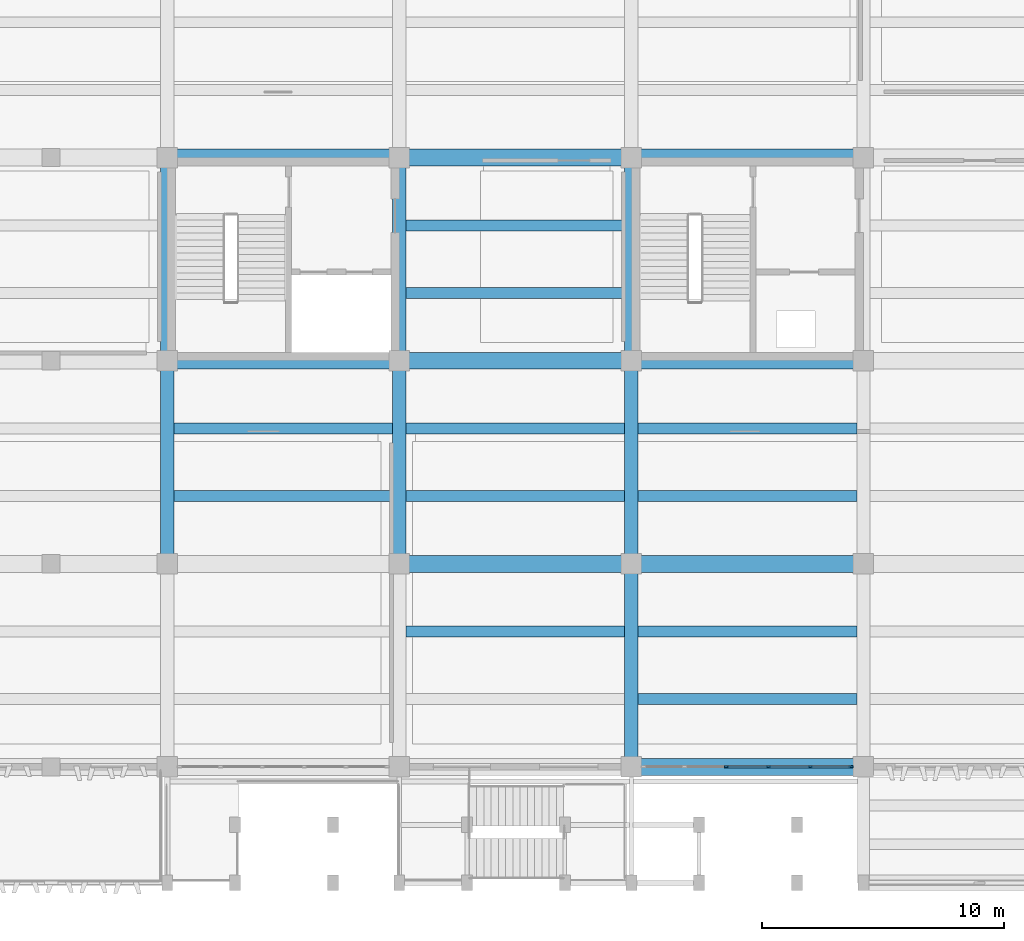
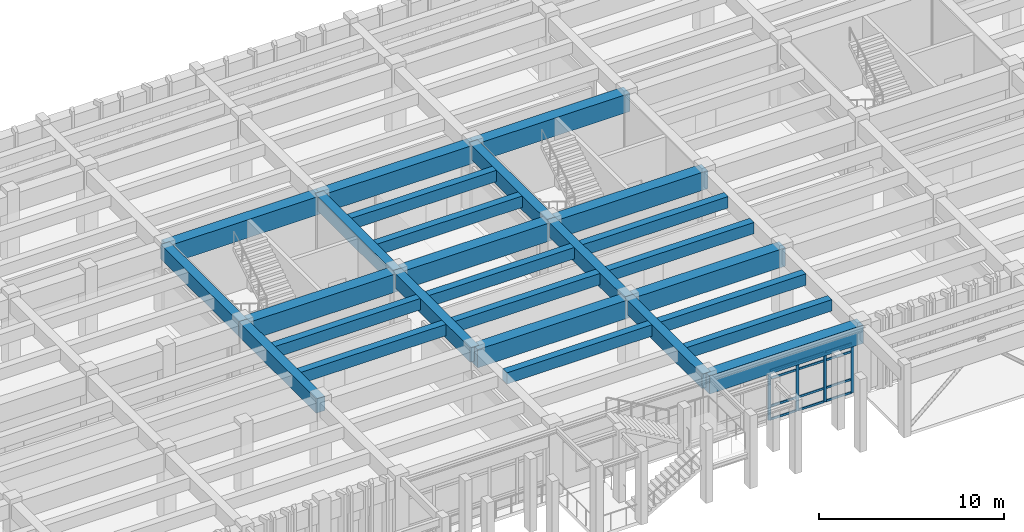
# One storey, part 12 of 86: 27 beams, 16 members, 1 element without a shape of its own.
"""IFC4 building model written with IfcOpenShell, lengths in metres."""

from ifc_helpers import new_model, si_unit, direction, frame, origin, origin_2d, place, context, subcontext, project, spatial, rectangle, extrude, material, layer, layer_set, material_profile, profile_set, type_object, element, aggregate, save


model = new_model("IFC4")

# Units and contexts
model_context = context("Model", 3, precision=1e-05, world=origin(), true_north=direction((0.0, 1.0)))
body_context = subcontext(model_context, "Body", "Model", "MODEL_VIEW")
ifc_project = project(units=[si_unit("LENGTHUNIT", "METRE"), si_unit("AREAUNIT", "SQUARE_METRE"), si_unit("VOLUMEUNIT", "CUBIC_METRE"), si_unit("PLANEANGLEUNIT", "RADIAN"), si_unit("MASSUNIT", "GRAM", prefix="KILO")], contexts=[model_context])

# Site, building, storey
site_placement = place(None, origin())
site = spatial("IfcSite", under=ifc_project, at=site_placement, CompositionType="ELEMENT")
building_placement = place(site_placement, origin())
building = spatial("IfcBuilding", under=site, at=building_placement, Name="Kolvemor Railside Polytechnic", CompositionType="ELEMENT")
storey_placement = place(building_placement, frame((0.0, 0.0, 5.39990234375)))
storey = spatial("IfcBuildingStorey", under=building, at=storey_placement, Name="L01", CompositionType="ELEMENT", Elevation=5.39990234375)

# Beams
ifc_material_1 = material(Name="Concrete C40/50", Category="concrete")
ifc_material_profile_1 = material_profile(ifc_material_1, rectangle(XDim=0.550048828125, YDim=0.949951171875, at=origin_2d()), Name="RC550x950")
ifc_profile_set_1 = profile_set([ifc_material_profile_1], Name="Concrete C40/50")
beam_type_1 = type_object("IfcBeamType", Name="BM-RC-GIRD", PredefinedType="BEAM", material=ifc_profile_set_1)
beam_1_placement = place(storey_placement, frame((67.199951171875, 13.199951171875, 4.005126953125), z_axis=(0.0, 1.0, 0.0), x_axis=(-1.0, 0.0, 0.0)))
element("IfcBeam", 1, at=beam_1_placement, inside=storey, type_object=beam_type_1, Name="Primary Girder L02-GY 0798", PredefinedType="BEAM", context=body_context, shape_type="SweptSolid", body=[
    extrude(rectangle(XDim=0.550048828125, YDim=0.949951171875, at=origin_2d()), origin(), (0.0, 0.0, 1.0), 8.400146484375),
])
beam_2_placement = place(storey_placement, frame((67.199951171875, 21.60009765625, 4.005126953125), z_axis=(0.0, 1.0, 0.0), x_axis=(-1.0, 0.0, 0.0)))
element("IfcBeam", 2, at=beam_2_placement, inside=storey, type_object=beam_type_1, Name="Primary Girder L02-GY 0799", PredefinedType="BEAM", context=body_context, shape_type="SweptSolid", body=[
    extrude(rectangle(XDim=0.550048828125, YDim=0.949951171875, at=origin_2d()), origin(), (0.0, 0.0, 1.0), 8.39990234375),
])
beam_3_placement = place(storey_placement, frame((76.800048828125, 13.199951171875, 4.005126953125), z_axis=(0.0, 1.0, 0.0), x_axis=(-1.0, 0.0, 0.0)))
element("IfcBeam", 3, at=beam_3_placement, inside=storey, type_object=beam_type_1, Name="Primary Girder L02-GY 0802", PredefinedType="BEAM", context=body_context, shape_type="SweptSolid", body=[
    extrude(rectangle(XDim=0.550048828125, YDim=0.949951171875, at=origin_2d()), origin(), (0.0, 0.0, 1.0), 8.400146484375),
])
for number, where, z_axis, x_axis, name in (
    (4, (76.800048828125, 21.60009765625, 4.005126953125), (0.0, 1.0, 0.0), (-1.0, 0.0, 0.0), "Primary Girder L02-GY 0803"),
    (5, (86.39990234375, 4.800048828125, 4.005126953125), (0.0, 1.0, 0.0), (-1.0, 0.0, 0.0), "Primary Girder L02-GY 0805"),
):
    element("IfcBeam", number, at=place(storey_placement, frame(where, z_axis=z_axis, x_axis=x_axis)), inside=storey, type_object=beam_type_1, Name=name, PredefinedType="BEAM", context=body_context, shape_type="SweptSolid", body=[
        extrude(rectangle(XDim=0.550048828125, YDim=0.949951171875, at=origin_2d()), origin(), (0.0, 0.0, 1.0), 8.39990234375),
    ])
beam_4_placement = place(storey_placement, frame((86.39990234375, 13.199951171875, 4.005126953125), z_axis=(0.0, 1.0, 0.0), x_axis=(-1.0, 0.0, 0.0)))
element("IfcBeam", 6, at=beam_4_placement, inside=storey, type_object=beam_type_1, Name="Primary Girder L02-GY 0806", PredefinedType="BEAM", context=body_context, shape_type="SweptSolid", body=[
    extrude(rectangle(XDim=0.550048828125, YDim=0.949951171875, at=origin_2d()), origin(), (0.0, 0.0, 1.0), 8.400146484375),
])
beam_5_placement = place(storey_placement, frame((86.39990234375, 21.60009765625, 4.005126953125), z_axis=(0.0, 1.0, 0.0), x_axis=(-1.0, 0.0, 0.0)))
element("IfcBeam", 7, at=beam_5_placement, inside=storey, type_object=beam_type_1, Name="Primary Girder L02-GY 0807", PredefinedType="BEAM", context=body_context, shape_type="SweptSolid", body=[
    extrude(rectangle(XDim=0.550048828125, YDim=0.949951171875, at=origin_2d()), origin(), (0.0, 0.0, 1.0), 8.39990234375),
])
ifc_material_2 = material(Name="Concrete C40/50", Category="concrete")
ifc_material_profile_2 = material_profile(ifc_material_2, rectangle(XDim=0.449951171875, YDim=0.75, at=origin_2d()), Name="RC450x750")
ifc_profile_set_2 = profile_set([ifc_material_profile_2], Name="Concrete C40/50")
beam_type_2 = type_object("IfcBeamType", Name="BM-RC-SEC", PredefinedType="JOIST", material=ifc_profile_set_2)
for number, where, z_axis, x_axis, name in (
    (8, (67.47509765625, 16.0, 4.10498046875), (1.0, 0.0, 0.0), (0.0, 1.0, 0.0), "Floor Joist L02-J0847"),
    (9, (67.47509765625, 18.800048828125, 4.10498046875), (1.0, 0.0, 0.0), (0.0, 1.0, 0.0), "Floor Joist L02-J0848"),
):
    element("IfcBeam", number, at=place(storey_placement, frame(where, z_axis=z_axis, x_axis=x_axis)), inside=storey, type_object=beam_type_2, Name=name, PredefinedType="JOIST", context=body_context, shape_type="SweptSolid", body=[
        extrude(rectangle(XDim=0.449951171875, YDim=0.75, at=origin_2d()), origin(), (0.0, 0.0, 1.0), 9.0498046875),
    ])
for number, where, z_axis, x_axis, name in (
    (10, (77.074951171875, 10.39990234375, 4.10498046875), (1.0, 0.0, 0.0), (0.0, 1.0, 0.0), "Floor Joist L02-J0852"),
    (11, (77.074951171875, 16.0, 4.10498046875), (1.0, 0.0, 0.0), (0.0, 1.0, 0.0), "Floor Joist L02-J0853"),
    (12, (77.074951171875, 18.800048828125, 4.10498046875), (1.0, 0.0, 0.0), (0.0, 1.0, 0.0), "Floor Joist L02-J0854"),
    (13, (77.074951171875, 24.39990234375, 4.10498046875), (1.0, 0.0, 0.0), (0.0, 1.0, 0.0), "Floor Joist L02-J0855"),
    (14, (77.074951171875, 27.199951171875, 4.10498046875), (1.0, 0.0, 0.0), (0.0, 1.0, 0.0), "Floor Joist L02-J0856"),
    (15, (86.675048828125, 7.60009765625, 4.10498046875), (1.0, 0.0, 0.0), (0.0, 1.0, 0.0), "Floor Joist L02-J0859"),
    (16, (86.675048828125, 10.39990234375, 4.10498046875), (1.0, 0.0, 0.0), (0.0, 1.0, 0.0), "Floor Joist L02-J0860"),
    (17, (86.675048828125, 16.0, 4.10498046875), (1.0, 0.0, 0.0), (0.0, 1.0, 0.0), "Floor Joist L02-J0861"),
    (18, (86.675048828125, 18.800048828125, 4.10498046875), (1.0, 0.0, 0.0), (0.0, 1.0, 0.0), "Floor Joist L02-J0862"),
):
    element("IfcBeam", number, at=place(storey_placement, frame(where, z_axis=z_axis, x_axis=x_axis)), inside=storey, type_object=beam_type_2, Name=name, PredefinedType="JOIST", context=body_context, shape_type="SweptSolid", body=[
        extrude(rectangle(XDim=0.449951171875, YDim=0.75, at=origin_2d()), origin(), (0.0, 0.0, 1.0), 9.050048828125),
    ])
ifc_material_3 = material(Name="Concrete C40/50", Category="concrete")
ifc_material_profile_3 = material_profile(ifc_material_3, rectangle(XDim=0.699951171875, YDim=1.199951171875, at=origin_2d()), Name="RC700x1200")
ifc_profile_set_3 = profile_set([ifc_material_profile_3], Name="Concrete C40/50")
beam_type_3 = type_object("IfcBeamType", Name="BM-RC-XFER", PredefinedType="BEAM", material=ifc_profile_set_3)
beam_6_placement = place(storey_placement, frame((86.39990234375, 4.800048828125, 3.880126953125), z_axis=(1.0, 0.0, 0.0), x_axis=(0.0, 1.0, 0.0)))
element("IfcBeam", 19, at=beam_6_placement, inside=storey, type_object=beam_type_3, Name="Primary Girder L02-GX 0752", PredefinedType="BEAM", context=body_context, shape_type="SweptSolid", body=[
    extrude(rectangle(XDim=0.699951171875, YDim=1.199951171875, at=origin_2d()), origin(), (0.0, 0.0, 1.0), 9.60009765625),
])
beam_7_placement = place(storey_placement, frame((76.800048828125, 13.199951171875, 3.880126953125), z_axis=(1.0, 0.0, 0.0), x_axis=(0.0, 1.0, 0.0)))
element("IfcBeam", 20, at=beam_7_placement, inside=storey, type_object=beam_type_3, Name="Primary Girder L02-GX 0760", PredefinedType="BEAM", context=body_context, shape_type="SweptSolid", body=[
    extrude(rectangle(XDim=0.699951171875, YDim=1.199951171875, at=origin_2d()), origin(), (0.0, 0.0, 1.0), 9.599853515625),
])
for number, where, z_axis, x_axis, name in (
    (21, (86.39990234375, 13.199951171875, 3.880126953125), (1.0, 0.0, 0.0), (0.0, 1.0, 0.0), "Primary Girder L02-GX 0761"),
    (22, (67.199951171875, 21.60009765625, 3.880126953125), (1.0, 0.0, 0.0), (0.0, 1.0, 0.0), "Primary Girder L02-GX 0768"),
):
    element("IfcBeam", number, at=place(storey_placement, frame(where, z_axis=z_axis, x_axis=x_axis)), inside=storey, type_object=beam_type_3, Name=name, PredefinedType="BEAM", context=body_context, shape_type="SweptSolid", body=[
        extrude(rectangle(XDim=0.699951171875, YDim=1.199951171875, at=origin_2d()), origin(), (0.0, 0.0, 1.0), 9.60009765625),
    ])
beam_8_placement = place(storey_placement, frame((76.800048828125, 21.60009765625, 3.880126953125), z_axis=(1.0, 0.0, 0.0), x_axis=(0.0, 1.0, 0.0)))
element("IfcBeam", 23, at=beam_8_placement, inside=storey, type_object=beam_type_3, Name="Primary Girder L02-GX 0769", PredefinedType="BEAM", context=body_context, shape_type="SweptSolid", body=[
    extrude(rectangle(XDim=0.699951171875, YDim=1.199951171875, at=origin_2d()), origin(), (0.0, 0.0, 1.0), 9.599853515625),
])
for number, where, z_axis, x_axis, name in (
    (24, (86.39990234375, 21.60009765625, 3.880126953125), (1.0, 0.0, 0.0), (0.0, 1.0, 0.0), "Primary Girder L02-GX 0770"),
    (25, (67.199951171875, 30.0, 3.880126953125), (1.0, 0.0, 0.0), (0.0, 1.0, 0.0), "Primary Girder L02-GX 0777"),
):
    element("IfcBeam", number, at=place(storey_placement, frame(where, z_axis=z_axis, x_axis=x_axis)), inside=storey, type_object=beam_type_3, Name=name, PredefinedType="BEAM", context=body_context, shape_type="SweptSolid", body=[
        extrude(rectangle(XDim=0.699951171875, YDim=1.199951171875, at=origin_2d()), origin(), (0.0, 0.0, 1.0), 9.60009765625),
    ])
beam_9_placement = place(storey_placement, frame((76.800048828125, 30.0, 3.880126953125), z_axis=(1.0, 0.0, 0.0), x_axis=(0.0, 1.0, 0.0)))
element("IfcBeam", 26, at=beam_9_placement, inside=storey, type_object=beam_type_3, Name="Primary Girder L02-GX 0778", PredefinedType="BEAM", context=body_context, shape_type="SweptSolid", body=[
    extrude(rectangle(XDim=0.699951171875, YDim=1.199951171875, at=origin_2d()), origin(), (0.0, 0.0, 1.0), 9.599853515625),
])
beam_10_placement = place(storey_placement, frame((86.39990234375, 30.0, 3.880126953125), z_axis=(1.0, 0.0, 0.0), x_axis=(0.0, 1.0, 0.0)))
element("IfcBeam", 27, at=beam_10_placement, inside=storey, type_object=beam_type_3, Name="Primary Girder L02-GX 0779", PredefinedType="BEAM", context=body_context, shape_type="SweptSolid", body=[
    extrude(rectangle(XDim=0.699951171875, YDim=1.199951171875, at=origin_2d()), origin(), (0.0, 0.0, 1.0), 9.60009765625),
])

# Curtain wall, members
ifc_material_4 = material(Name="Anodised marine aluminium and laminated low-E glass", Category="aluminium")
ifc_layer = layer(ifc_material_4, 0.179931640625, Name="CW-UNIT-STD")
ifc_layer_set = layer_set([ifc_layer], Name="Anodised marine aluminium and laminated low-E glass")
curtain_wall_type = type_object("IfcCurtainWallType", Name="CW-UNIT-STD", PredefinedType="USERDEFINED", material=ifc_layer_set)
curtain_wall_placement = place(storey_placement, origin())
curtain_wall = element("IfcCurtainWall", 28, at=curtain_wall_placement, inside=storey, type_object=curtain_wall_type, Name="Curtain Wall L01-097", ObjectType="UNITISED CURTAIN WALL", PredefinedType="USERDEFINED")
ifc_material_5 = material(Name="Anodised marine aluminium 6063-T6", Category="aluminium")
ifc_material_profile_4 = material_profile(ifc_material_5, rectangle(XDim=0.074951171875, YDim=0.179931640625, at=origin_2d()), Name="CW-MUL-75x180")
ifc_profile_set_4 = profile_set([ifc_material_profile_4], Name="Anodised marine aluminium 6063-T6")
member_type_1 = type_object("IfcMemberType", Name="CWM-75x180", PredefinedType="MULLION", material=ifc_profile_set_4)
member_1_placement = place(storey_placement, frame((90.333984375, 4.800048828125, 0.0), z_axis=(0.0, 0.0, 1.0), x_axis=(0.0, 1.0, 0.0)))
member_1 = element("IfcMember", 29, at=member_1_placement, type_object=member_type_1, Name="CW-STD mullion 3", PredefinedType="MULLION", context=body_context, shape_type="SweptSolid", body=[
    extrude(rectangle(XDim=0.074951171875, YDim=0.179931640625, at=origin_2d()), origin(), (0.0, 0.0, 1.0), 3.280029296875),
])
member_2_placement = place(storey_placement, frame((92.06591796875, 4.800048828125, 0.0), z_axis=(0.0, 0.0, 1.0), x_axis=(0.0, 1.0, 0.0)))
member_2 = element("IfcMember", 30, at=member_2_placement, type_object=member_type_1, Name="CW-STD mullion 4", PredefinedType="MULLION", context=body_context, shape_type="SweptSolid", body=[
    extrude(rectangle(XDim=0.074951171875, YDim=0.179931640625, at=origin_2d()), origin(), (0.0, 0.0, 1.0), 3.280029296875),
])
member_3_placement = place(storey_placement, frame((93.798095703125, 4.800048828125, 0.0), z_axis=(0.0, 0.0, 1.0), x_axis=(0.0, 1.0, 0.0)))
member_3 = element("IfcMember", 31, at=member_3_placement, type_object=member_type_1, Name="CW-STD mullion 5", PredefinedType="MULLION", context=body_context, shape_type="SweptSolid", body=[
    extrude(rectangle(XDim=0.074951171875, YDim=0.179931640625, at=origin_2d()), origin(), (0.0, 0.0, 1.0), 3.280029296875),
])
member_4_placement = place(storey_placement, frame((95.492431640625, 4.800048828125, 0.0), z_axis=(0.0, 0.0, 1.0), x_axis=(0.0, 1.0, 0.0)))
member_4 = element("IfcMember", 32, at=member_4_placement, type_object=member_type_1, Name="CW-STD mullion 6", PredefinedType="MULLION", context=body_context, shape_type="SweptSolid", body=[
    extrude(rectangle(XDim=0.074951171875, YDim=0.179931640625, at=origin_2d()), origin(), (0.0, 0.0, 1.0), 3.280029296875),
])
ifc_material_6 = material(Name="Anodised marine aluminium 6063-T6", Category="aluminium")
ifc_material_profile_5 = material_profile(ifc_material_6, rectangle(XDim=0.074951171875, YDim=0.139892578125, at=origin_2d()), Name="CW-TRN-75x140")
ifc_profile_set_5 = profile_set([ifc_material_profile_5], Name="Anodised marine aluminium 6063-T6")
member_type_2 = type_object("IfcMemberType", Name="CWT-75x140", PredefinedType="USERDEFINED", material=ifc_profile_set_5)
member_5_placement = place(storey_placement, frame((90.37158203125, 4.800048828125, 0.03759765625), z_axis=(1.0, 0.0, 0.0), x_axis=(0.0, 1.0, 0.0)))
member_5 = element("IfcMember", 33, at=member_5_placement, type_object=member_type_2, Name="CW-STD transom 3.1", ObjectType="TRANSOM", PredefinedType="USERDEFINED", context=body_context, shape_type="SweptSolid", body=[
    extrude(rectangle(XDim=0.074951171875, YDim=0.139892578125, at=origin_2d()), origin(), (0.0, 0.0, 1.0), 1.656982421875),
])
member_6_placement = place(storey_placement, frame((90.37158203125, 4.800048828125, 0.900146484375), z_axis=(1.0, 0.0, 0.0), x_axis=(0.0, 1.0, 0.0)))
member_6 = element("IfcMember", 34, at=member_6_placement, type_object=member_type_2, Name="CW-STD transom 3.2", ObjectType="TRANSOM", PredefinedType="USERDEFINED", context=body_context, shape_type="SweptSolid", body=[
    extrude(rectangle(XDim=0.074951171875, YDim=0.139892578125, at=origin_2d()), origin(), (0.0, 0.0, 1.0), 1.656982421875),
])
member_7_placement = place(storey_placement, frame((90.37158203125, 4.800048828125, 2.72998046875), z_axis=(1.0, 0.0, 0.0), x_axis=(0.0, 1.0, 0.0)))
member_7 = element("IfcMember", 35, at=member_7_placement, type_object=member_type_2, Name="CW-STD transom 3.3", ObjectType="TRANSOM", PredefinedType="USERDEFINED", context=body_context, shape_type="SweptSolid", body=[
    extrude(rectangle(XDim=0.074951171875, YDim=0.139892578125, at=origin_2d()), origin(), (0.0, 0.0, 1.0), 1.656982421875),
])
member_8_placement = place(storey_placement, frame((90.37158203125, 4.800048828125, 3.24267578125), z_axis=(1.0, 0.0, 0.0), x_axis=(0.0, 1.0, 0.0)))
member_8 = element("IfcMember", 36, at=member_8_placement, type_object=member_type_2, Name="CW-STD transom 3.4", ObjectType="TRANSOM", PredefinedType="USERDEFINED", context=body_context, shape_type="SweptSolid", body=[
    extrude(rectangle(XDim=0.074951171875, YDim=0.139892578125, at=origin_2d()), origin(), (0.0, 0.0, 1.0), 1.656982421875),
])
member_9_placement = place(storey_placement, frame((92.103515625, 4.800048828125, 0.03759765625), z_axis=(1.0, 0.0, 0.0), x_axis=(0.0, 1.0, 0.0)))
member_9 = element("IfcMember", 37, at=member_9_placement, type_object=member_type_2, Name="CW-STD transom 4.1", ObjectType="TRANSOM", PredefinedType="USERDEFINED", context=body_context, shape_type="SweptSolid", body=[
    extrude(rectangle(XDim=0.074951171875, YDim=0.139892578125, at=origin_2d()), origin(), (0.0, 0.0, 1.0), 1.656982421875),
])
member_10_placement = place(storey_placement, frame((92.103515625, 4.800048828125, 0.900146484375), z_axis=(1.0, 0.0, 0.0), x_axis=(0.0, 1.0, 0.0)))
member_10 = element("IfcMember", 38, at=member_10_placement, type_object=member_type_2, Name="CW-STD transom 4.2", ObjectType="TRANSOM", PredefinedType="USERDEFINED", context=body_context, shape_type="SweptSolid", body=[
    extrude(rectangle(XDim=0.074951171875, YDim=0.139892578125, at=origin_2d()), origin(), (0.0, 0.0, 1.0), 1.656982421875),
])
member_11_placement = place(storey_placement, frame((92.103515625, 4.800048828125, 2.72998046875), z_axis=(1.0, 0.0, 0.0), x_axis=(0.0, 1.0, 0.0)))
member_11 = element("IfcMember", 39, at=member_11_placement, type_object=member_type_2, Name="CW-STD transom 4.3", ObjectType="TRANSOM", PredefinedType="USERDEFINED", context=body_context, shape_type="SweptSolid", body=[
    extrude(rectangle(XDim=0.074951171875, YDim=0.139892578125, at=origin_2d()), origin(), (0.0, 0.0, 1.0), 1.656982421875),
])
member_12_placement = place(storey_placement, frame((92.103515625, 4.800048828125, 3.24267578125), z_axis=(1.0, 0.0, 0.0), x_axis=(0.0, 1.0, 0.0)))
member_12 = element("IfcMember", 40, at=member_12_placement, type_object=member_type_2, Name="CW-STD transom 4.4", ObjectType="TRANSOM", PredefinedType="USERDEFINED", context=body_context, shape_type="SweptSolid", body=[
    extrude(rectangle(XDim=0.074951171875, YDim=0.139892578125, at=origin_2d()), origin(), (0.0, 0.0, 1.0), 1.656982421875),
])
member_13_placement = place(storey_placement, frame((93.83544921875, 4.800048828125, 0.03759765625), z_axis=(1.0, 0.0, 0.0), x_axis=(0.0, 1.0, 0.0)))
member_13 = element("IfcMember", 41, at=member_13_placement, type_object=member_type_2, Name="CW-STD transom 5.1", ObjectType="TRANSOM", PredefinedType="USERDEFINED", context=body_context, shape_type="SweptSolid", body=[
    extrude(rectangle(XDim=0.074951171875, YDim=0.139892578125, at=origin_2d()), origin(), (0.0, 0.0, 1.0), 1.61962890625),
])
member_14_placement = place(storey_placement, frame((93.83544921875, 4.800048828125, 0.900146484375), z_axis=(1.0, 0.0, 0.0), x_axis=(0.0, 1.0, 0.0)))
member_14 = element("IfcMember", 42, at=member_14_placement, type_object=member_type_2, Name="CW-STD transom 5.2", ObjectType="TRANSOM", PredefinedType="USERDEFINED", context=body_context, shape_type="SweptSolid", body=[
    extrude(rectangle(XDim=0.074951171875, YDim=0.139892578125, at=origin_2d()), origin(), (0.0, 0.0, 1.0), 1.61962890625),
])
member_15_placement = place(storey_placement, frame((93.83544921875, 4.800048828125, 2.72998046875), z_axis=(1.0, 0.0, 0.0), x_axis=(0.0, 1.0, 0.0)))
member_15 = element("IfcMember", 43, at=member_15_placement, type_object=member_type_2, Name="CW-STD transom 5.3", ObjectType="TRANSOM", PredefinedType="USERDEFINED", context=body_context, shape_type="SweptSolid", body=[
    extrude(rectangle(XDim=0.074951171875, YDim=0.139892578125, at=origin_2d()), origin(), (0.0, 0.0, 1.0), 1.61962890625),
])
member_16_placement = place(storey_placement, frame((93.83544921875, 4.800048828125, 3.24267578125), z_axis=(1.0, 0.0, 0.0), x_axis=(0.0, 1.0, 0.0)))
member_16 = element("IfcMember", 44, at=member_16_placement, type_object=member_type_2, Name="CW-STD transom 5.4", ObjectType="TRANSOM", PredefinedType="USERDEFINED", context=body_context, shape_type="SweptSolid", body=[
    extrude(rectangle(XDim=0.074951171875, YDim=0.139892578125, at=origin_2d()), origin(), (0.0, 0.0, 1.0), 1.61962890625),
])
aggregate(curtain_wall, [member_1, member_2, member_3, member_4, member_5, member_6, member_7, member_8, member_9, member_10, member_11, member_12, member_13, member_14, member_15, member_16])

save(model, "model.ifc")
